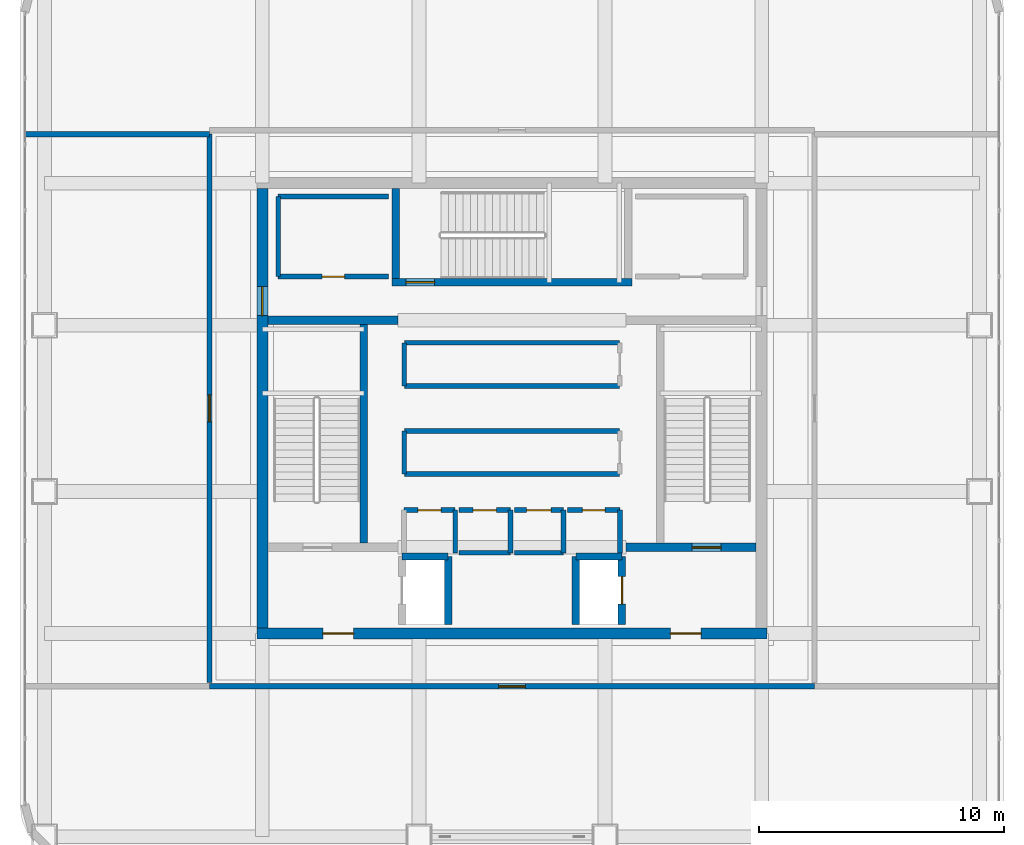
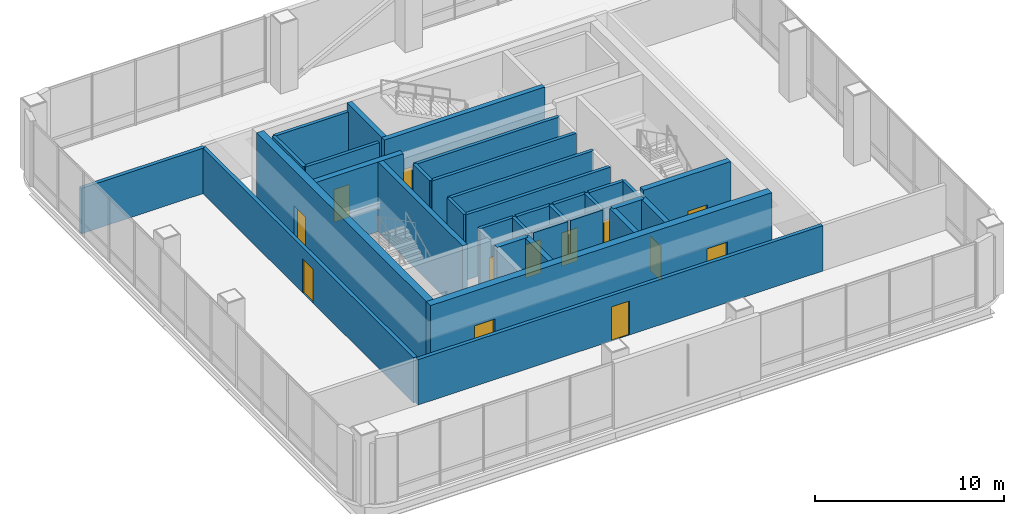
# One storey, part 28 of 33: 34 walls, 13 doors, 13 openings.
"""IFC4 building model written with IfcOpenShell, lengths in metres."""

from ifc_helpers import new_model, si_unit, direction, frame, frame_2d, origin, place, context, subcontext, project, spatial, rectangle, extrude, material, layer, layer_set, type_object, element, fill, save


model = new_model("IFC4")

# Units and contexts
model_context = context("Model", 3, precision=1e-05, world=origin(), true_north=direction((0.0, 1.0)))
body_context = subcontext(model_context, "Body", "Model", "MODEL_VIEW")
ifc_project = project(units=[si_unit("LENGTHUNIT", "METRE"), si_unit("AREAUNIT", "SQUARE_METRE"), si_unit("VOLUMEUNIT", "CUBIC_METRE"), si_unit("PLANEANGLEUNIT", "RADIAN"), si_unit("MASSUNIT", "GRAM", prefix="KILO")], contexts=[model_context])

# Site, building, storey
site_placement = place(None, origin())
site = spatial("IfcSite", under=ifc_project, at=site_placement, CompositionType="ELEMENT")
building_placement = place(site_placement, origin())
building = spatial("IfcBuilding", under=site, at=building_placement, Name="Punatoya Terracotta Tower", CompositionType="ELEMENT")
storey_placement = place(building_placement, frame((0.0, 0.0, 348.300048828125)))
storey = spatial("IfcBuildingStorey", under=building, at=storey_placement, Name="L82", CompositionType="ELEMENT", Elevation=348.300048828125)

# Wall, openings, doors
ifc_material_1 = material(Name="Concrete C50/60", Category="concrete")
ifc_layer_1 = layer(ifc_material_1, 0.449951171875)
ifc_layer_set_1 = layer_set([ifc_layer_1], Name="Concrete C50/60")
wall_type_1 = type_object("IfcWallType", Name="WL-COR-450", PredefinedType="SHEAR", material=ifc_layer_set_1)
wall_1_placement = place(storey_placement, frame((10.425048828125, -9.199951171875, 0.0), z_axis=(0.0, 0.0, 1.0), x_axis=(-1.0, 0.0, 0.0)))
wall_1 = element("IfcWall", 1, at=wall_1_placement, inside=storey, type_object=wall_type_1, Name="L82 Core Shear Wall S", PredefinedType="SHEAR", context=body_context, shape_type="SweptSolid", body=[
    extrude(rectangle(XDim=20.85009765625, YDim=0.449951171875, at=frame_2d((10.425048828125, 0.0))), origin(), (0.0, 0.0, 1.0), 4.5),
])
opening_1_placement = place(wall_1_placement, frame((2.699951171875, 0.0, 0.0)))
opening_1 = element("IfcOpeningElement", 2, at=opening_1_placement, cuts=wall_1, Name="Opening FD-L1", PredefinedType="OPENING", context=body_context, shape_type="SweptSolid", body=[
    extrude(rectangle(XDim=1.25, YDim=2.25, at=frame_2d((0.625, 1.125))), frame((0.0, 0.23486328125, 0.0), z_axis=(0.0, -1.0, 0.0), x_axis=(1.0, 0.0, 0.0)), (0.0, 0.0, 1.0), 0.469970703125),
])
opening_2_placement = place(wall_1_placement, frame((16.89990234375, 0.0, 0.0)))
opening_2 = element("IfcOpeningElement", 3, at=opening_2_placement, cuts=wall_1, Name="Opening FD-L1", PredefinedType="OPENING", context=body_context, shape_type="SweptSolid", body=[
    extrude(rectangle(XDim=1.25, YDim=2.25, at=frame_2d((0.625, 1.125))), frame((0.0, 0.23486328125, 0.0), z_axis=(0.0, -1.0, 0.0), x_axis=(1.0, 0.0, 0.0)), (0.0, 0.0, 1.0), 0.469970703125),
])
ifc_material_2 = material(Name="Galvanised Steel Smokeproof Fire Door", Category="steel")
door_type_1 = type_object("IfcDoorType", Name="DR-FFL-1250", OperationType="NOTDEFINED", PredefinedType="DOOR", material=ifc_material_2)
door_1_placement = place(opening_1_placement, origin())
door_1 = element("IfcDoor", 4, at=door_1_placement, inside=storey, type_object=door_type_1, Name="L82 East Firefighting Lobby Corridor Fire Door", OperationType="SINGLE_SWING_LEFT", OverallHeight=2.25, OverallWidth=1.25, PredefinedType="DOOR", context=body_context, shape_type="SweptSolid", body=[
    extrude(rectangle(XDim=1.25, YDim=2.25, at=frame_2d((0.625, 1.125))), frame((0.0, 0.02490234375, 0.0), z_axis=(0.0, -1.0, 0.0), x_axis=(1.0, 0.0, 0.0)), (0.0, 0.0, 1.0), 0.050048828125),
])
fill(opening_1, door_1)
door_2_placement = place(opening_2_placement, origin())
door_2 = element("IfcDoor", 5, at=door_2_placement, inside=storey, type_object=door_type_1, Name="L82 West Firefighting Lobby Corridor Fire Door", OperationType="SINGLE_SWING_RIGHT", OverallHeight=2.25, OverallWidth=1.25, PredefinedType="DOOR", context=body_context, shape_type="SweptSolid", body=[
    extrude(rectangle(XDim=1.25, YDim=2.25, at=frame_2d((0.625, 1.125))), frame((0.0, 0.02490234375, 0.0), z_axis=(0.0, -1.0, 0.0), x_axis=(1.0, 0.0, 0.0)), (0.0, 0.0, 1.0), 0.050048828125),
])
fill(opening_2, door_2)

# Wall, opening, door
wall_2_placement = place(storey_placement, frame((-10.199951171875, -8.97509765625, 0.0), z_axis=(0.0, 0.0, 1.0), x_axis=(0.0, 1.0, 0.0)))
wall_2 = element("IfcWall", 6, at=wall_2_placement, inside=storey, type_object=wall_type_1, Name="L82 Core Shear Wall W", PredefinedType="SHEAR", context=body_context, shape_type="SweptSolid", body=[
    extrude(rectangle(XDim=17.9501953125, YDim=0.449951171875, at=frame_2d((8.97509765625, 0.0))), origin(), (0.0, 0.0, 1.0), 4.5),
])
opening_3_placement = place(wall_2_placement, frame((12.764892578125, 0.0, 0.0)))
opening_3 = element("IfcOpeningElement", 7, at=opening_3_placement, cuts=wall_2, Name="Opening SD-01", PredefinedType="OPENING", context=body_context, shape_type="SweptSolid", body=[
    extrude(rectangle(XDim=1.179931640625, YDim=2.199951171875, at=frame_2d((0.58984375, 1.10009765625))), frame((0.0, 0.23486328125, 0.0), z_axis=(0.0, -1.0, 0.0), x_axis=(1.0, 0.0, 0.0)), (0.0, 0.0, 1.0), 0.469970703125),
])
ifc_material_3 = material(Name="Galvanised Steel Pressurized Stair Fire Door", Category="steel")
door_type_2 = type_object("IfcDoorType", Name="DR-STR-1180", OperationType="NOTDEFINED", PredefinedType="DOOR", material=ifc_material_3)
door_3_placement = place(opening_3_placement, origin())
door_3 = element("IfcDoor", 8, at=door_3_placement, inside=storey, type_object=door_type_2, Name="L82 Central Lift Lobby West Fire Door", OperationType="SINGLE_SWING_LEFT", OverallHeight=2.199951171875, OverallWidth=1.179931640625, PredefinedType="DOOR", context=body_context, shape_type="SweptSolid", body=[
    extrude(rectangle(XDim=1.179931640625, YDim=2.199951171875, at=frame_2d((0.58984375, 1.10009765625))), frame((0.0, 0.02490234375, 0.0), z_axis=(0.0, -1.0, 0.0), x_axis=(1.0, 0.0, 0.0)), (0.0, 0.0, 1.0), 0.050048828125),
])
fill(opening_3, door_3)

ifc_material_4 = material(Name="Concrete C40/50", Category="concrete")
ifc_layer_2 = layer(ifc_material_4, 0.219970703125)
ifc_layer_set_2 = layer_set([ifc_layer_2], Name="Concrete C40/50")
wall_type_2 = type_object("IfcWallType", Name="WL-FIR-220", PredefinedType="SOLIDWALL", material=ifc_layer_set_2)
wall_3_placement = place(storey_placement, frame((-12.360107421875, -11.360107421875, 0.0), z_axis=(0.0, 0.0, 1.0), x_axis=(1.0, 0.0, 0.0)))
wall_3 = element("IfcWall", 9, at=wall_3_placement, inside=storey, type_object=wall_type_2, Name="L82 Crown South Heat-Rejection and Cooling-Tower Plant Partition 27", PredefinedType="SOLIDWALL", context=body_context, shape_type="SweptSolid", body=[
    extrude(rectangle(XDim=24.72021484375, YDim=0.219970703125, at=frame_2d((12.360107421875, 0.0))), origin(), (0.0, 0.0, 1.0), 2.933837890625),
])
opening_4_placement = place(wall_3_placement, frame((11.81005859375, 0.0, 0.0)))
opening_4 = element("IfcOpeningElement", 10, at=opening_4_placement, cuts=wall_3, Name="Opening FD-P1", PredefinedType="OPENING", context=body_context, shape_type="SweptSolid", body=[
    extrude(rectangle(XDim=1.10009765625, YDim=2.199951171875, at=frame_2d((0.550048828125, 1.10009765625))), frame((0.0, 0.119873046875, 0.0), z_axis=(0.0, -1.0, 0.0), x_axis=(1.0, 0.0, 0.0)), (0.0, 0.0, 1.0), 0.239990234375),
])
ifc_material_5 = material(Name="Galvanised Steel Plant Fire Door", Category="steel")
door_type_3 = type_object("IfcDoorType", Name="DR-PLT-1100", OperationType="NOTDEFINED", PredefinedType="DOOR", material=ifc_material_5)
door_4_placement = place(opening_4_placement, origin())
door_4 = element("IfcDoor", 11, at=door_4_placement, inside=storey, type_object=door_type_3, Name="L82 Crown South Heat-Rejection and Cooling-Tower Plant Fire Door", OperationType="SINGLE_SWING_LEFT", OverallHeight=2.199951171875, OverallWidth=1.10009765625, PredefinedType="DOOR", context=body_context, shape_type="SweptSolid", body=[
    extrude(rectangle(XDim=1.10009765625, YDim=2.199951171875, at=frame_2d((0.550048828125, 1.10009765625))), frame((0.0, 0.02490234375, 0.0), z_axis=(0.0, -1.0, 0.0), x_axis=(1.0, 0.0, 0.0)), (0.0, 0.0, 1.0), 0.050048828125),
])
fill(opening_4, door_4)

# Wall
wall_4_placement = place(storey_placement, frame((-19.8798828125, 11.199951171875, 0.0), z_axis=(0.0, 0.0, 1.0), x_axis=(1.0, 0.0, 0.0)))
element("IfcWall", 12, at=wall_4_placement, inside=storey, type_object=wall_type_2, Name="L82 Crown West Smoke-Extract and Fan Plant Room Partition 29", PredefinedType="SOLIDWALL", context=body_context, shape_type="SweptSolid", body=[
    extrude(rectangle(XDim=7.519775390625, YDim=0.219970703125, at=frame_2d((3.759765625, 0.0))), origin(), (0.0, 0.0, 1.0), 2.933837890625),
])

# Wall, opening, door
wall_5_placement = place(storey_placement, frame((-12.360107421875, 11.199951171875, 0.0), z_axis=(0.0, 0.0, 1.0), x_axis=(0.0, -1.0, 0.0)))
wall_5 = element("IfcWall", 13, at=wall_5_placement, inside=storey, type_object=wall_type_2, Name="L82 Crown West Smoke-Extract and Fan Plant Room Partition 30", PredefinedType="SOLIDWALL", context=body_context, shape_type="SweptSolid", body=[
    extrude(rectangle(XDim=22.39990234375, YDim=0.219970703125, at=frame_2d((11.199951171875, 0.0))), origin(), (0.0, 0.0, 1.0), 2.933837890625),
])
opening_5_placement = place(wall_5_placement, frame((10.64990234375, 0.0, 0.0)))
opening_5 = element("IfcOpeningElement", 14, at=opening_5_placement, cuts=wall_5, Name="Opening FD-P1", PredefinedType="OPENING", context=body_context, shape_type="SweptSolid", body=[
    extrude(rectangle(XDim=1.10009765625, YDim=2.199951171875, at=frame_2d((0.550048828125, 1.10009765625))), frame((0.0, 0.119873046875, 0.0), z_axis=(0.0, -1.0, 0.0), x_axis=(1.0, 0.0, 0.0)), (0.0, 0.0, 1.0), 0.239990234375),
])
door_5_placement = place(opening_5_placement, origin())
door_5 = element("IfcDoor", 15, at=door_5_placement, inside=storey, type_object=door_type_3, Name="L82 Crown West Smoke-Extract and Fan Plant Room Fire Door", OperationType="SINGLE_SWING_RIGHT", OverallHeight=2.199951171875, OverallWidth=1.10009765625, PredefinedType="DOOR", context=body_context, shape_type="SweptSolid", body=[
    extrude(rectangle(XDim=1.10009765625, YDim=2.199951171875, at=frame_2d((0.550048828125, 1.10009765625))), frame((0.0, 0.02490234375, 0.0), z_axis=(0.0, -1.0, 0.0), x_axis=(1.0, 0.0, 0.0)), (0.0, 0.0, 1.0), 0.050048828125),
])
fill(opening_5, door_5)

# Wall
ifc_layer_3 = layer(ifc_material_4, 0.199951171875)
ifc_layer_set_3 = layer_set([ifc_layer_3], Name="Concrete C40/50")
wall_type_3 = type_object("IfcWallType", Name="WL-INT-200", PredefinedType="SOLIDWALL", material=ifc_layer_set_3)
wall_6_placement = place(storey_placement, frame((-2.320068359375, -5.89990234375, 0.0), z_axis=(0.0, 0.0, 1.0), x_axis=(0.0, 1.0, 0.0)))
element("IfcWall", 16, at=wall_6_placement, inside=storey, type_object=wall_type_3, Name="L82 Staff Male Washroom Partition 01", PredefinedType="SOLIDWALL", context=body_context, shape_type="SweptSolid", body=[
    extrude(rectangle(XDim=1.739990234375, YDim=0.199951171875, at=frame_2d((0.8701171875, 0.0))), origin(), (0.0, 0.0, 1.0), 4.219970703125),
])

# Wall, opening, door
wall_7_placement = place(storey_placement, frame((-2.320068359375, -4.159912109375, 0.0), z_axis=(0.0, 0.0, 1.0), x_axis=(-1.0, 0.0, 0.0)))
wall_7 = element("IfcWall", 17, at=wall_7_placement, inside=storey, type_object=wall_type_3, Name="L82 Staff Male Washroom Partition 02", PredefinedType="SOLIDWALL", context=body_context, shape_type="SweptSolid", body=[
    extrude(rectangle(XDim=2.099853515625, YDim=0.199951171875, at=frame_2d((1.0498046875, 0.0))), origin(), (0.0, 0.0, 1.0), 4.219970703125),
])
opening_6_placement = place(wall_7_placement, frame((0.574951171875, 0.0, 0.0)))
opening_6 = element("IfcOpeningElement", 18, at=opening_6_placement, cuts=wall_7, Name="Opening WD-01", PredefinedType="OPENING", context=body_context, shape_type="SweptSolid", body=[
    extrude(rectangle(XDim=0.949951171875, YDim=2.14990234375, at=frame_2d((0.47509765625, 1.074951171875))), frame((0.0, 0.10986328125, 0.0), z_axis=(0.0, -1.0, 0.0), x_axis=(1.0, 0.0, 0.0)), (0.0, 0.0, 1.0), 0.219970703125),
])
ifc_material_6 = material(Name="Moisture-Resistant Laminate Timber Leaf", Category="wood")
door_type_4 = type_object("IfcDoorType", Name="DR-WC-950", OperationType="NOTDEFINED", PredefinedType="DOOR", material=ifc_material_6)
door_6_placement = place(opening_6_placement, origin())
door_6 = element("IfcDoor", 19, at=door_6_placement, inside=storey, type_object=door_type_4, Name="L82 Staff Male Washroom Door", OperationType="SINGLE_SWING_LEFT", OverallHeight=2.14990234375, OverallWidth=0.949951171875, PredefinedType="DOOR", context=body_context, shape_type="SweptSolid", body=[
    extrude(rectangle(XDim=0.949951171875, YDim=2.14990234375, at=frame_2d((0.47509765625, 1.074951171875))), frame((0.0, 0.02490234375, 0.0), z_axis=(0.0, -1.0, 0.0), x_axis=(1.0, 0.0, 0.0)), (0.0, 0.0, 1.0), 0.050048828125),
])
fill(opening_6, door_6)

# Wall
wall_8_placement = place(storey_placement, frame((-0.06005859375, -5.89990234375, 0.0), z_axis=(0.0, 0.0, 1.0), x_axis=(0.0, 1.0, 0.0)))
element("IfcWall", 20, at=wall_8_placement, inside=storey, type_object=wall_type_3, Name="L82 Staff Female Washroom Partition 04", PredefinedType="SOLIDWALL", context=body_context, shape_type="SweptSolid", body=[
    extrude(rectangle(XDim=1.739990234375, YDim=0.199951171875, at=frame_2d((0.8701171875, 0.0))), origin(), (0.0, 0.0, 1.0), 4.219970703125),
])

# Wall, opening, door
wall_9_placement = place(storey_placement, frame((-0.06005859375, -4.159912109375, 0.0), z_axis=(0.0, 0.0, 1.0), x_axis=(-1.0, 0.0, 0.0)))
wall_9 = element("IfcWall", 21, at=wall_9_placement, inside=storey, type_object=wall_type_3, Name="L82 Staff Female Washroom Partition 05", PredefinedType="SOLIDWALL", context=body_context, shape_type="SweptSolid", body=[
    extrude(rectangle(XDim=2.099853515625, YDim=0.199951171875, at=frame_2d((1.0498046875, 0.0))), origin(), (0.0, 0.0, 1.0), 4.219970703125),
])
opening_7_placement = place(wall_9_placement, frame((0.574951171875, 0.0, 0.0)))
opening_7 = element("IfcOpeningElement", 22, at=opening_7_placement, cuts=wall_9, Name="Opening WD-01", PredefinedType="OPENING", context=body_context, shape_type="SweptSolid", body=[
    extrude(rectangle(XDim=0.949951171875, YDim=2.14990234375, at=frame_2d((0.47509765625, 1.074951171875))), frame((0.0, 0.10986328125, 0.0), z_axis=(0.0, -1.0, 0.0), x_axis=(1.0, 0.0, 0.0)), (0.0, 0.0, 1.0), 0.219970703125),
])
door_7_placement = place(opening_7_placement, origin())
door_7 = element("IfcDoor", 23, at=door_7_placement, inside=storey, type_object=door_type_4, Name="L82 Staff Female Washroom Door", OperationType="SINGLE_SWING_RIGHT", OverallHeight=2.14990234375, OverallWidth=0.949951171875, PredefinedType="DOOR", context=body_context, shape_type="SweptSolid", body=[
    extrude(rectangle(XDim=0.949951171875, YDim=2.14990234375, at=frame_2d((0.47509765625, 1.074951171875))), frame((0.0, 0.02490234375, 0.0), z_axis=(0.0, -1.0, 0.0), x_axis=(1.0, 0.0, 0.0)), (0.0, 0.0, 1.0), 0.050048828125),
])
fill(opening_7, door_7)

# Walls
wall_10_placement = place(storey_placement, frame((-2.159912109375, -5.89990234375, 0.0), z_axis=(0.0, 0.0, 1.0), x_axis=(1.0, 0.0, 0.0)))
element("IfcWall", 24, at=wall_10_placement, inside=storey, type_object=wall_type_3, Name="L82 Staff Female Washroom Partition 06", PredefinedType="SOLIDWALL", context=body_context, shape_type="SweptSolid", body=[
    extrude(rectangle(XDim=2.099853515625, YDim=0.199951171875, at=frame_2d((1.0498046875, 0.0))), origin(), (0.0, 0.0, 1.0), 4.219970703125),
])
wall_11_placement = place(storey_placement, frame((2.10009765625, -5.89990234375, 0.0), z_axis=(0.0, 0.0, 1.0), x_axis=(0.0, 1.0, 0.0)))
element("IfcWall", 25, at=wall_11_placement, inside=storey, type_object=wall_type_3, Name="L82 Accessible Universal Washroom Partition 07", PredefinedType="SOLIDWALL", context=body_context, shape_type="SweptSolid", body=[
    extrude(rectangle(XDim=1.739990234375, YDim=0.199951171875, at=frame_2d((0.8701171875, 0.0))), origin(), (0.0, 0.0, 1.0), 4.219970703125),
])

# Wall, opening, door
wall_12_placement = place(storey_placement, frame((2.10009765625, -4.159912109375, 0.0), z_axis=(0.0, 0.0, 1.0), x_axis=(-1.0, 0.0, 0.0)))
wall_12 = element("IfcWall", 26, at=wall_12_placement, inside=storey, type_object=wall_type_3, Name="L82 Accessible Universal Washroom Partition 08", PredefinedType="SOLIDWALL", context=body_context, shape_type="SweptSolid", body=[
    extrude(rectangle(XDim=2.0, YDim=0.199951171875, at=frame_2d((1.0, 0.0))), origin(), (0.0, 0.0, 1.0), 4.219970703125),
])
opening_8_placement = place(wall_12_placement, frame((0.5, 0.0, 0.0)))
opening_8 = element("IfcOpeningElement", 27, at=opening_8_placement, cuts=wall_12, Name="Opening AWD-1", PredefinedType="OPENING", context=body_context, shape_type="SweptSolid", body=[
    extrude(rectangle(XDim=1.0, YDim=2.14990234375, at=frame_2d((0.5, 1.074951171875))), frame((0.0, 0.10986328125, 0.0), z_axis=(0.0, -1.0, 0.0), x_axis=(1.0, 0.0, 0.0)), (0.0, 0.0, 1.0), 0.219970703125),
])
ifc_material_7 = material(Name="Bengal Teak Accessible WC Leaf")
door_type_5 = type_object("IfcDoorType", Name="DR-ACC-1000", OperationType="NOTDEFINED", PredefinedType="DOOR", material=ifc_material_7)
door_8_placement = place(opening_8_placement, origin())
door_8 = element("IfcDoor", 28, at=door_8_placement, inside=storey, type_object=door_type_5, Name="L82 Accessible Universal Washroom Door", OperationType="SINGLE_SWING_LEFT", OverallHeight=2.14990234375, OverallWidth=1.0, PredefinedType="DOOR", context=body_context, shape_type="SweptSolid", body=[
    extrude(rectangle(XDim=1.0, YDim=2.14990234375, at=frame_2d((0.5, 1.074951171875))), frame((0.0, 0.02490234375, 0.0), z_axis=(0.0, -1.0, 0.0), x_axis=(1.0, 0.0, 0.0)), (0.0, 0.0, 1.0), 0.050048828125),
])
fill(opening_8, door_8)

# Walls
wall_13_placement = place(storey_placement, frame((0.10009765625, -5.89990234375, 0.0), z_axis=(0.0, 0.0, 1.0), x_axis=(1.0, 0.0, 0.0)))
element("IfcWall", 29, at=wall_13_placement, inside=storey, type_object=wall_type_3, Name="L82 Accessible Universal Washroom Partition 09", PredefinedType="SOLIDWALL", context=body_context, shape_type="SweptSolid", body=[
    extrude(rectangle(XDim=2.0, YDim=0.199951171875, at=frame_2d((1.0, 0.0))), origin(), (0.0, 0.0, 1.0), 4.219970703125),
])
wall_14_placement = place(storey_placement, frame((4.419921875, -5.89990234375, 0.0), z_axis=(0.0, 0.0, 1.0), x_axis=(0.0, 1.0, 0.0)))
element("IfcWall", 30, at=wall_14_placement, inside=storey, type_object=wall_type_3, Name="L82 Core Electrical Switchgear Room Partition 10", PredefinedType="SOLIDWALL", context=body_context, shape_type="SweptSolid", body=[
    extrude(rectangle(XDim=1.739990234375, YDim=0.199951171875, at=frame_2d((0.8701171875, 0.0))), origin(), (0.0, 0.0, 1.0), 4.219970703125),
])

# Wall, opening, door
wall_15_placement = place(storey_placement, frame((4.419921875, -4.159912109375, 0.0), z_axis=(0.0, 0.0, 1.0), x_axis=(-1.0, 0.0, 0.0)))
wall_15 = element("IfcWall", 31, at=wall_15_placement, inside=storey, type_object=wall_type_3, Name="L82 Core Electrical Switchgear Room Partition 11", PredefinedType="SOLIDWALL", context=body_context, shape_type="SweptSolid", body=[
    extrude(rectangle(XDim=2.159912109375, YDim=0.199951171875, at=frame_2d((1.080078125, 0.0))), origin(), (0.0, 0.0, 1.0), 4.219970703125),
])
opening_9_placement = place(wall_15_placement, frame((0.6201171875, 0.0, 0.0)))
opening_9 = element("IfcOpeningElement", 32, at=opening_9_placement, cuts=wall_15, Name="Opening FD-R1", PredefinedType="OPENING", context=body_context, shape_type="SweptSolid", body=[
    extrude(rectangle(XDim=0.919921875, YDim=2.10009765625, at=frame_2d((0.4599609375, 1.050048828125))), frame((0.0, 0.10986328125, 0.0), z_axis=(0.0, -1.0, 0.0), x_axis=(1.0, 0.0, 0.0)), (0.0, 0.0, 1.0), 0.219970703125),
])
ifc_material_8 = material(Name="Galvanised Steel Riser Fire Access Door", Category="steel")
door_type_6 = type_object("IfcDoorType", Name="DR-RSR-920", OperationType="NOTDEFINED", PredefinedType="DOOR", material=ifc_material_8)
door_9_placement = place(opening_9_placement, origin())
door_9 = element("IfcDoor", 33, at=door_9_placement, inside=storey, type_object=door_type_6, Name="L82 Core Electrical Switchgear Room Fire Door", OperationType="SINGLE_SWING_RIGHT", OverallHeight=2.10009765625, OverallWidth=0.919921875, PredefinedType="DOOR", context=body_context, shape_type="SweptSolid", body=[
    extrude(rectangle(XDim=0.919921875, YDim=2.10009765625, at=frame_2d((0.4599609375, 1.050048828125))), frame((0.0, 0.02490234375, 0.0), z_axis=(0.0, -1.0, 0.0), x_axis=(1.0, 0.0, 0.0)), (0.0, 0.0, 1.0), 0.050048828125),
])
fill(opening_9, door_9)

# Walls
wall_16_placement = place(storey_placement, frame((4.39990234375, -0.919921875, 0.0), z_axis=(0.0, 0.0, 1.0), x_axis=(-1.0, 0.0, 0.0)))
element("IfcWall", 34, at=wall_16_placement, inside=storey, type_object=wall_type_3, Name="L82 Crown Emergency Power Switchroom Partition 13", PredefinedType="SOLIDWALL", context=body_context, shape_type="SweptSolid", body=[
    extrude(rectangle(XDim=8.7998046875, YDim=0.199951171875, at=frame_2d((4.39990234375, 0.0))), origin(), (0.0, 0.0, 1.0), 4.219970703125),
])
wall_17_placement = place(storey_placement, frame((-4.39990234375, -0.919921875, 0.0), z_axis=(0.0, 0.0, 1.0), x_axis=(0.0, -1.0, 0.0)))
element("IfcWall", 35, at=wall_17_placement, inside=storey, type_object=wall_type_3, Name="L82 Crown Emergency Power Switchroom Partition 14", PredefinedType="SOLIDWALL", context=body_context, shape_type="SweptSolid", body=[
    extrude(rectangle(XDim=1.760009765625, YDim=0.199951171875, at=frame_2d((0.8798828125, 0.0))), origin(), (0.0, 0.0, 1.0), 4.219970703125),
])
for number, where, z_axis, x_axis, name in (
    (36, (-4.39990234375, -2.679931640625, 0.0), (0.0, 0.0, 1.0), (1.0, 0.0, 0.0), "L82 Crown Emergency Power Switchroom Partition 15"),
    (37, (4.39990234375, 2.679931640625, 0.0), (0.0, 0.0, 1.0), (-1.0, 0.0, 0.0), "L82 Crown Stair Pressurization Fan Room Partition 17"),
):
    element("IfcWall", number, at=place(storey_placement, frame(where, z_axis=z_axis, x_axis=x_axis)), inside=storey, type_object=wall_type_3, Name=name, PredefinedType="SOLIDWALL", context=body_context, shape_type="SweptSolid", body=[
        extrude(rectangle(XDim=8.7998046875, YDim=0.199951171875, at=frame_2d((4.39990234375, 0.0))), origin(), (0.0, 0.0, 1.0), 4.219970703125),
    ])
wall_18_placement = place(storey_placement, frame((-4.39990234375, 2.679931640625, 0.0), z_axis=(0.0, 0.0, 1.0), x_axis=(0.0, -1.0, 0.0)))
element("IfcWall", 38, at=wall_18_placement, inside=storey, type_object=wall_type_3, Name="L82 Crown Stair Pressurization Fan Room Partition 18", PredefinedType="SOLIDWALL", context=body_context, shape_type="SweptSolid", body=[
    extrude(rectangle(XDim=1.760009765625, YDim=0.199951171875, at=frame_2d((0.8798828125, 0.0))), origin(), (0.0, 0.0, 1.0), 4.219970703125),
])
wall_19_placement = place(storey_placement, frame((-4.39990234375, 0.919921875, 0.0), z_axis=(0.0, 0.0, 1.0), x_axis=(1.0, 0.0, 0.0)))
element("IfcWall", 39, at=wall_19_placement, inside=storey, type_object=wall_type_3, Name="L82 Crown Stair Pressurization Fan Room Partition 19", PredefinedType="SOLIDWALL", context=body_context, shape_type="SweptSolid", body=[
    extrude(rectangle(XDim=8.7998046875, YDim=0.199951171875, at=frame_2d((4.39990234375, 0.0))), origin(), (0.0, 0.0, 1.0), 4.219970703125),
])
wall_20_placement = place(storey_placement, frame((-5.050048828125, 8.64990234375, 0.0), z_axis=(0.0, 0.0, 1.0), x_axis=(-1.0, 0.0, 0.0)))
element("IfcWall", 40, at=wall_20_placement, inside=storey, type_object=wall_type_3, Name="L82 West Duct Riser Partition 20", PredefinedType="SOLIDWALL", context=body_context, shape_type="SweptSolid", body=[
    extrude(rectangle(XDim=4.5, YDim=0.199951171875, at=frame_2d((2.25, 0.0))), origin(), (0.0, 0.0, 1.0), 4.219970703125),
])
wall_21_placement = place(storey_placement, frame((-9.550048828125, 8.64990234375, 0.0), z_axis=(0.0, 0.0, 1.0), x_axis=(0.0, -1.0, 0.0)))
element("IfcWall", 41, at=wall_21_placement, inside=storey, type_object=wall_type_3, Name="L82 West Duct Riser Partition 21", PredefinedType="SOLIDWALL", context=body_context, shape_type="SweptSolid", body=[
    extrude(rectangle(XDim=3.27001953125, YDim=0.199951171875, at=frame_2d((1.635009765625, 0.0))), origin(), (0.0, 0.0, 1.0), 4.219970703125),
])

# Wall, opening, door
wall_22_placement = place(storey_placement, frame((-9.550048828125, 5.3798828125, 0.0), z_axis=(0.0, 0.0, 1.0), x_axis=(1.0, 0.0, 0.0)))
wall_22 = element("IfcWall", 42, at=wall_22_placement, inside=storey, type_object=wall_type_3, Name="L82 West Duct Riser Partition 22", PredefinedType="SOLIDWALL", context=body_context, shape_type="SweptSolid", body=[
    extrude(rectangle(XDim=4.5, YDim=0.199951171875, at=frame_2d((2.25, 0.0))), origin(), (0.0, 0.0, 1.0), 4.219970703125),
])
opening_10_placement = place(wall_22_placement, frame((1.7900390625, 0.0, 0.0)))
opening_10 = element("IfcOpeningElement", 43, at=opening_10_placement, cuts=wall_22, Name="Opening FD-R1", PredefinedType="OPENING", context=body_context, shape_type="SweptSolid", body=[
    extrude(rectangle(XDim=0.919921875, YDim=2.10009765625, at=frame_2d((0.4599609375, 1.050048828125))), frame((0.0, 0.10986328125, 0.0), z_axis=(0.0, -1.0, 0.0), x_axis=(1.0, 0.0, 0.0)), (0.0, 0.0, 1.0), 0.219970703125),
])
door_10_placement = place(opening_10_placement, origin())
door_10 = element("IfcDoor", 44, at=door_10_placement, inside=storey, type_object=door_type_6, Name="L82 West Duct Riser Fire Door", OperationType="SINGLE_SWING_LEFT", OverallHeight=2.10009765625, OverallWidth=0.919921875, PredefinedType="DOOR", context=body_context, shape_type="SweptSolid", body=[
    extrude(rectangle(XDim=0.919921875, YDim=2.10009765625, at=frame_2d((0.4599609375, 1.050048828125))), frame((0.0, 0.02490234375, 0.0), z_axis=(0.0, -1.0, 0.0), x_axis=(1.0, 0.0, 0.0)), (0.0, 0.0, 1.0), 0.050048828125),
])
fill(opening_10, door_10)

# Walls
ifc_layer_4 = layer(ifc_material_4, 0.300048828125)
ifc_layer_set_4 = layer_set([ifc_layer_4], Name="Concrete C40/50")
wall_type_4 = type_object("IfcWallType", Name="WL-SHF-300", PredefinedType="SOLIDWALL", material=ifc_layer_set_4)
wall_23_placement = place(storey_placement, frame((-6.050048828125, -5.5, 0.0), z_axis=(0.0, 0.0, 1.0), x_axis=(0.0, 1.0, 0.0)))
element("IfcWall", 45, at=wall_23_placement, inside=storey, type_object=wall_type_4, Name="L82 Structural Stair Shaft Wall SW-ST1-E", PredefinedType="SOLIDWALL", context=body_context, shape_type="SweptSolid", body=[
    extrude(rectangle(XDim=8.949951171875, YDim=0.300048828125, at=frame_2d((4.47509765625, 0.0))), origin(), (0.0, 0.0, 1.0), 4.5),
])
wall_24_placement = place(storey_placement, frame((-4.75, 5.300048828125, 0.0), z_axis=(0.0, 0.0, 1.0), x_axis=(0.0, 1.0, 0.0)))
element("IfcWall", 46, at=wall_24_placement, inside=storey, type_object=wall_type_4, Name="L82 Structural Stair Shaft Wall SW-ST3-W", PredefinedType="SOLIDWALL", context=body_context, shape_type="SweptSolid", body=[
    extrude(rectangle(XDim=3.675048828125, YDim=0.300048828125, at=frame_2d((1.83740234375, 0.0))), origin(), (0.0, 0.0, 1.0), 4.5),
])

# Wall, opening, door
wall_25_placement = place(storey_placement, frame((-4.89990234375, 5.14990234375, 0.0), z_axis=(0.0, 0.0, 1.0), x_axis=(1.0, 0.0, 0.0)))
wall_25 = element("IfcWall", 47, at=wall_25_placement, inside=storey, type_object=wall_type_4, Name="L82 Structural Stair Shaft Wall SW-ST3-S", PredefinedType="SOLIDWALL", context=body_context, shape_type="SweptSolid", body=[
    extrude(rectangle(XDim=9.7998046875, YDim=0.300048828125, at=frame_2d((4.89990234375, 0.0))), origin(), (0.0, 0.0, 1.0), 4.5),
])
opening_11_placement = place(wall_25_placement, frame((0.56005859375, 0.0, 0.0)))
opening_11 = element("IfcOpeningElement", 48, at=opening_11_placement, cuts=wall_25, Name="Opening SD-01", PredefinedType="OPENING", context=body_context, shape_type="SweptSolid", body=[
    extrude(rectangle(XDim=1.179931640625, YDim=2.199951171875, at=frame_2d((0.58984375, 1.10009765625))), frame((0.0, 0.159912109375, 0.0), z_axis=(0.0, -1.0, 0.0), x_axis=(1.0, 0.0, 0.0)), (0.0, 0.0, 1.0), 0.320068359375),
])
door_11_placement = place(opening_11_placement, origin())
door_11 = element("IfcDoor", 49, at=door_11_placement, inside=storey, type_object=door_type_2, Name="L82 Stair ST-3 Core Lobby Fire Door", OperationType="SINGLE_SWING_LEFT", OverallHeight=2.199951171875, OverallWidth=1.179931640625, PredefinedType="DOOR", context=body_context, shape_type="SweptSolid", body=[
    extrude(rectangle(XDim=1.179931640625, YDim=2.199951171875, at=frame_2d((0.58984375, 1.10009765625))), frame((0.0, 0.02490234375, 0.0), z_axis=(0.0, -1.0, 0.0), x_axis=(1.0, 0.0, 0.0)), (0.0, 0.0, 1.0), 0.050048828125),
])
fill(opening_11, door_11)

# Walls
wall_26_placement = place(storey_placement, frame((-2.610107421875, -8.820068359375, 0.0), z_axis=(0.0, 0.0, 1.0), x_axis=(0.0, 1.0, 0.0)))
element("IfcWall", 50, at=wall_26_placement, inside=storey, type_object=wall_type_4, Name="L82 FFL-1 Rear Hoistway Wall", PredefinedType="SOLIDWALL", context=body_context, shape_type="SweptSolid", body=[
    extrude(rectangle(XDim=2.77001953125, YDim=0.300048828125, at=frame_2d((1.385009765625, 0.0))), origin(), (0.0, 0.0, 1.0), 4.219970703125),
])
wall_27_placement = place(storey_placement, frame((-4.489990234375, -6.050048828125, 0.0), z_axis=(0.0, 0.0, 1.0), x_axis=(1.0, 0.0, 0.0)))
element("IfcWall", 51, at=wall_27_placement, inside=storey, type_object=wall_type_4, Name="L82 FFL-1 North Hoistway Wall", PredefinedType="SOLIDWALL", context=body_context, shape_type="SweptSolid", body=[
    extrude(rectangle(XDim=1.8798828125, YDim=0.300048828125, at=frame_2d((0.93994140625, 0.0))), origin(), (0.0, 0.0, 1.0), 4.219970703125),
])

# Wall, opening, door
wall_28_placement = place(storey_placement, frame((4.489990234375, -8.820068359375, 0.0), z_axis=(0.0, 0.0, 1.0), x_axis=(0.0, 1.0, 0.0)))
wall_28 = element("IfcWall", 52, at=wall_28_placement, inside=storey, type_object=wall_type_4, Name="L82 FFL-2 Front Hoistway Wall", PredefinedType="SOLIDWALL", context=body_context, shape_type="SweptSolid", body=[
    extrude(rectangle(XDim=2.77001953125, YDim=0.300048828125, at=frame_2d((1.385009765625, 0.0))), origin(), (0.0, 0.0, 1.0), 4.219970703125),
])
opening_12_placement = place(wall_28_placement, frame((0.824951171875, 0.0, 0.0)))
opening_12 = element("IfcOpeningElement", 53, at=opening_12_placement, cuts=wall_28, Name="Opening LD-02", PredefinedType="OPENING", context=body_context, shape_type="SweptSolid", body=[
    extrude(rectangle(XDim=1.1201171875, YDim=2.25, at=frame_2d((0.56005859375, 1.125))), frame((0.0, 0.159912109375, 0.0), z_axis=(0.0, -1.0, 0.0), x_axis=(1.0, 0.0, 0.0)), (0.0, 0.0, 1.0), 0.320068359375),
])
ifc_material_9 = material(Name="Stainless Steel Lift Landing Door", Category="steel")
door_type_7 = type_object("IfcDoorType", Name="DR-LND-1120", OperationType="NOTDEFINED", PredefinedType="DOOR", material=ifc_material_9)
door_12_placement = place(opening_12_placement, origin())
door_12 = element("IfcDoor", 54, at=door_12_placement, inside=storey, type_object=door_type_7, Name="L82 Firefighting Lift FFL-2 Sliding Landing Door", OperationType="SLIDING_TO_RIGHT", OverallHeight=2.25, OverallWidth=1.1201171875, PredefinedType="DOOR", context=body_context, shape_type="SweptSolid", body=[
    extrude(rectangle(XDim=1.1201171875, YDim=2.25, at=frame_2d((0.56005859375, 1.125))), frame((0.0, 0.02490234375, 0.0), z_axis=(0.0, -1.0, 0.0), x_axis=(1.0, 0.0, 0.0)), (0.0, 0.0, 1.0), 0.050048828125),
])
fill(opening_12, door_12)

# Walls
wall_29_placement = place(storey_placement, frame((2.610107421875, -8.820068359375, 0.0), z_axis=(0.0, 0.0, 1.0), x_axis=(0.0, 1.0, 0.0)))
element("IfcWall", 55, at=wall_29_placement, inside=storey, type_object=wall_type_4, Name="L82 FFL-2 Rear Hoistway Wall", PredefinedType="SOLIDWALL", context=body_context, shape_type="SweptSolid", body=[
    extrude(rectangle(XDim=2.77001953125, YDim=0.300048828125, at=frame_2d((1.385009765625, 0.0))), origin(), (0.0, 0.0, 1.0), 4.219970703125),
])
wall_30_placement = place(storey_placement, frame((2.610107421875, -6.050048828125, 0.0), z_axis=(0.0, 0.0, 1.0), x_axis=(1.0, 0.0, 0.0)))
element("IfcWall", 56, at=wall_30_placement, inside=storey, type_object=wall_type_4, Name="L82 FFL-2 North Hoistway Wall", PredefinedType="SOLIDWALL", context=body_context, shape_type="SweptSolid", body=[
    extrude(rectangle(XDim=1.8798828125, YDim=0.300048828125, at=frame_2d((0.93994140625, 0.0))), origin(), (0.0, 0.0, 1.0), 4.219970703125),
])

# Wall, opening, door
ifc_layer_5 = layer(ifc_material_1, 0.35009765625)
ifc_layer_set_5 = layer_set([ifc_layer_5], Name="Concrete C50/60")
wall_type_5 = type_object("IfcWallType", Name="WL-SHF-350", PredefinedType="SOLIDWALL", material=ifc_layer_set_5)
wall_31_placement = place(storey_placement, frame((4.64990234375, -5.679931640625, 0.0), z_axis=(0.0, 0.0, 1.0), x_axis=(1.0, 0.0, 0.0)))
wall_31 = element("IfcWall", 57, at=wall_31_placement, inside=storey, type_object=wall_type_5, Name="L82 Core Web Wall CSW-R", PredefinedType="SOLIDWALL", context=body_context, shape_type="SweptSolid", body=[
    extrude(rectangle(XDim=5.3251953125, YDim=0.35009765625, at=frame_2d((2.66259765625, 0.0))), origin(), (0.0, 0.0, 1.0), 4.5),
])
opening_13_placement = place(wall_31_placement, frame((2.7099609375, 0.0, 0.0)))
opening_13 = element("IfcOpeningElement", 58, at=opening_13_placement, cuts=wall_31, Name="Opening SD-01", PredefinedType="OPENING", context=body_context, shape_type="SweptSolid", body=[
    extrude(rectangle(XDim=1.179931640625, YDim=2.199951171875, at=frame_2d((0.58984375, 1.10009765625))), frame((0.0, 0.18505859375, 0.0), z_axis=(0.0, -1.0, 0.0), x_axis=(1.0, 0.0, 0.0)), (0.0, 0.0, 1.0), 0.3701171875),
])
door_13_placement = place(opening_13_placement, origin())
door_13 = element("IfcDoor", 59, at=door_13_placement, inside=storey, type_object=door_type_2, Name="L82 Stair ST-2 Smokeproof Lobby Fire Door", OperationType="SINGLE_SWING_RIGHT", OverallHeight=2.199951171875, OverallWidth=1.179931640625, PredefinedType="DOOR", context=body_context, shape_type="SweptSolid", body=[
    extrude(rectangle(XDim=1.179931640625, YDim=2.199951171875, at=frame_2d((0.58984375, 1.10009765625))), frame((0.0, 0.02490234375, 0.0), z_axis=(0.0, -1.0, 0.0), x_axis=(1.0, 0.0, 0.0)), (0.0, 0.0, 1.0), 0.050048828125),
])
fill(opening_13, door_13)

# Wall
wall_32_placement = place(storey_placement, frame((-9.97509765625, 3.60009765625, 0.0), z_axis=(0.0, 0.0, 1.0), x_axis=(1.0, 0.0, 0.0)))
element("IfcWall", 60, at=wall_32_placement, inside=storey, type_object=wall_type_5, Name="L82 Core Web Wall CNW-L", PredefinedType="SOLIDWALL", context=body_context, shape_type="SweptSolid", body=[
    extrude(rectangle(XDim=5.3251953125, YDim=0.35009765625, at=frame_2d((2.66259765625, 0.0))), origin(), (0.0, 0.0, 1.0), 4.5),
])

save(model, "model.ifc")
